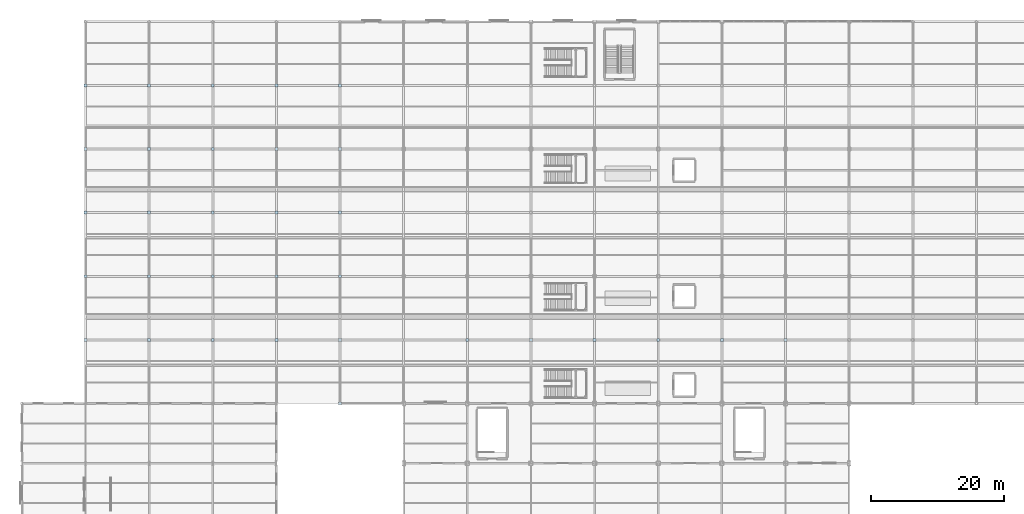
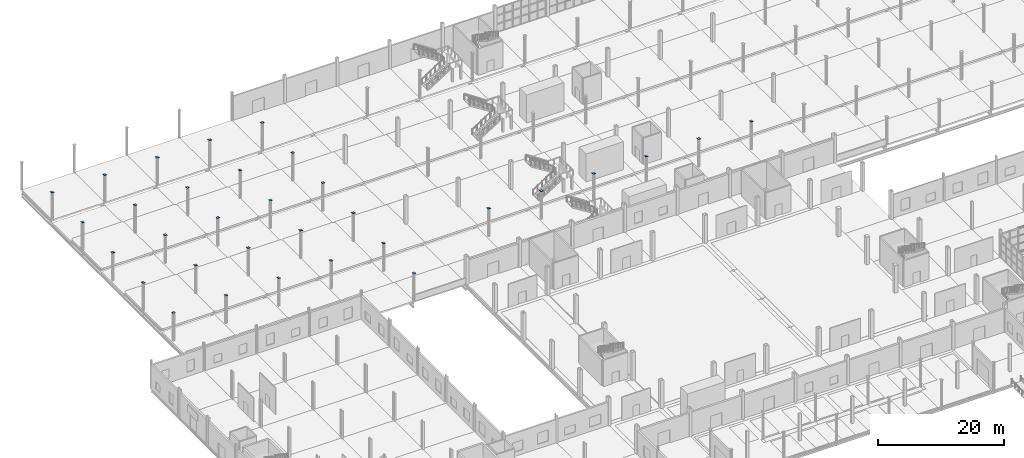
# One storey, part 59 of 85: 32 plates.
"""IFC4 building model written with IfcOpenShell, lengths in metres."""

from ifc_helpers import new_model, si_unit, direction, frame, origin, origin_2d, place, context, subcontext, project, spatial, rectangle, extrude, material, layer, layer_set, type_object, element, save


model = new_model("IFC4")

# Units and contexts
model_context = context("Model", 3, precision=1e-05, world=origin(), true_north=direction((0.0, 1.0)))
body_context = subcontext(model_context, "Body", "Model", "MODEL_VIEW")
ifc_project = project(units=[si_unit("LENGTHUNIT", "METRE"), si_unit("AREAUNIT", "SQUARE_METRE"), si_unit("VOLUMEUNIT", "CUBIC_METRE"), si_unit("PLANEANGLEUNIT", "RADIAN"), si_unit("MASSUNIT", "GRAM", prefix="KILO")], contexts=[model_context])

# Site, building, storey
site_placement = place(None, origin())
site = spatial("IfcSite", under=ifc_project, at=site_placement, CompositionType="ELEMENT")
building_placement = place(site_placement, origin())
building = spatial("IfcBuilding", under=site, at=building_placement, Name="Zarnetskaya Central Station", CompositionType="ELEMENT")
storey_placement = place(building_placement, origin())
storey = spatial("IfcBuildingStorey", under=building, at=storey_placement, Name="L00", CompositionType="ELEMENT", Elevation=0.0)

# Plates
ifc_material = material(Name="Steel S355", Category="steel")
ifc_layer = layer(ifc_material, 0.02392578125, Name="Steel S355", Category="steel")
ifc_layer_set = layer_set([ifc_layer], Name="Steel S355")
plate_type = type_object("IfcPlateType", Name="PL-COL-CAP-EXT", PredefinedType="USERDEFINED", material=ifc_layer_set)
for number, where, z_axis, x_axis, name in (
    (1, (9.60009765625, 76.800048828125, 5.3759765625), (0.0, 0.0, 1.0), (1.0, 0.0, 0.0), "Hollow column sealed end-cap plate 03"),
    (2, (9.60009765625, 86.39990234375, 5.3759765625), (0.0, 0.0, 1.0), (1.0, 0.0, 0.0), "Hollow column sealed end-cap plate 04"),
    (3, (9.60009765625, 96.0, 5.3759765625), (0.0, 0.0, 1.0), (1.0, 0.0, 0.0), "Hollow column sealed end-cap plate 05"),
    (4, (9.60009765625, 105.60009765625, 5.3759765625), (0.0, 0.0, 1.0), (1.0, 0.0, 0.0), "Hollow column sealed end-cap plate 06"),
    (5, (9.60009765625, 115.199951171875, 5.3759765625), (0.0, 0.0, 1.0), (1.0, 0.0, 0.0), "Hollow column sealed end-cap plate 07"),
    (6, (19.199951171875, 76.800048828125, 5.3759765625), (0.0, 0.0, 1.0), (1.0, 0.0, 0.0), "Hollow column sealed end-cap plate 10"),
    (7, (19.199951171875, 86.39990234375, 5.3759765625), (0.0, 0.0, 1.0), (1.0, 0.0, 0.0), "Hollow column sealed end-cap plate 11"),
    (8, (19.199951171875, 96.0, 5.3759765625), (0.0, 0.0, 1.0), (1.0, 0.0, 0.0), "Hollow column sealed end-cap plate 12"),
    (9, (19.199951171875, 105.60009765625, 5.3759765625), (0.0, 0.0, 1.0), (1.0, 0.0, 0.0), "Hollow column sealed end-cap plate 13"),
    (10, (19.199951171875, 115.199951171875, 5.3759765625), (0.0, 0.0, 1.0), (1.0, 0.0, 0.0), "Hollow column sealed end-cap plate 14"),
    (11, (28.800048828125, 76.800048828125, 5.3759765625), (0.0, 0.0, 1.0), (1.0, 0.0, 0.0), "Hollow column sealed end-cap plate 17"),
    (12, (28.800048828125, 86.39990234375, 5.3759765625), (0.0, 0.0, 1.0), (1.0, 0.0, 0.0), "Hollow column sealed end-cap plate 18"),
    (13, (28.800048828125, 96.0, 5.3759765625), (0.0, 0.0, 1.0), (1.0, 0.0, 0.0), "Hollow column sealed end-cap plate 19"),
    (14, (28.800048828125, 105.60009765625, 5.3759765625), (0.0, 0.0, 1.0), (1.0, 0.0, 0.0), "Hollow column sealed end-cap plate 20"),
    (15, (28.800048828125, 115.199951171875, 5.3759765625), (0.0, 0.0, 1.0), (1.0, 0.0, 0.0), "Hollow column sealed end-cap plate 21"),
    (16, (38.39990234375, 76.800048828125, 5.3759765625), (0.0, 0.0, 1.0), (1.0, 0.0, 0.0), "Hollow column sealed end-cap plate 24"),
    (17, (38.39990234375, 86.39990234375, 5.3759765625), (0.0, 0.0, 1.0), (1.0, 0.0, 0.0), "Hollow column sealed end-cap plate 25"),
    (18, (38.39990234375, 96.0, 5.3759765625), (0.0, 0.0, 1.0), (1.0, 0.0, 0.0), "Hollow column sealed end-cap plate 26"),
    (19, (38.39990234375, 105.60009765625, 5.3759765625), (0.0, 0.0, 1.0), (1.0, 0.0, 0.0), "Hollow column sealed end-cap plate 27"),
    (20, (38.39990234375, 115.199951171875, 5.3759765625), (0.0, 0.0, 1.0), (1.0, 0.0, 0.0), "Hollow column sealed end-cap plate 28"),
    (21, (48.0, 67.199951171875, 5.3759765625), (0.0, 0.0, 1.0), (1.0, 0.0, 0.0), "Hollow column sealed end-cap plate 30"),
    (22, (48.0, 76.800048828125, 5.3759765625), (0.0, 0.0, 1.0), (1.0, 0.0, 0.0), "Hollow column sealed end-cap plate 31"),
    (23, (48.0, 86.39990234375, 5.3759765625), (0.0, 0.0, 1.0), (1.0, 0.0, 0.0), "Hollow column sealed end-cap plate 32"),
    (24, (48.0, 96.0, 5.3759765625), (0.0, 0.0, 1.0), (1.0, 0.0, 0.0), "Hollow column sealed end-cap plate 33"),
    (25, (48.0, 105.60009765625, 5.3759765625), (0.0, 0.0, 1.0), (1.0, 0.0, 0.0), "Hollow column sealed end-cap plate 34"),
    (26, (48.0, 115.199951171875, 5.3759765625), (0.0, 0.0, 1.0), (1.0, 0.0, 0.0), "Hollow column sealed end-cap plate 35"),
    (27, (67.199951171875, 76.800048828125, 5.3759765625), (0.0, 0.0, 1.0), (1.0, 0.0, 0.0), "Hollow column sealed end-cap plate 55"),
    (28, (76.800048828125, 76.800048828125, 5.3759765625), (0.0, 0.0, 1.0), (1.0, 0.0, 0.0), "Hollow column sealed end-cap plate 64"),
    (29, (86.39990234375, 76.800048828125, 5.3759765625), (0.0, 0.0, 1.0), (1.0, 0.0, 0.0), "Hollow column sealed end-cap plate 73"),
    (30, (96.0, 76.800048828125, 5.3759765625), (0.0, 0.0, 1.0), (1.0, 0.0, 0.0), "Hollow column sealed end-cap plate 82"),
    (31, (105.60009765625, 76.800048828125, 5.3759765625), (0.0, 0.0, 1.0), (1.0, 0.0, 0.0), "Hollow column sealed end-cap plate 91"),
    (32, (115.199951171875, 76.800048828125, 5.3759765625), (0.0, 0.0, 1.0), (1.0, 0.0, 0.0), "Hollow column sealed end-cap plate 103"),
):
    element("IfcPlate", number, at=place(storey_placement, frame(where, z_axis=z_axis, x_axis=x_axis)), inside=storey, type_object=plate_type, Name=name, ObjectType="END CAP PLATE", PredefinedType="USERDEFINED", context=body_context, shape_type="SweptSolid", body=[
        extrude(rectangle(XDim=0.426513671875, YDim=0.426513671875, at=origin_2d()), origin(), (0.0, 0.0, 1.0), 0.02392578125),
    ])

save(model, "model.ifc")
